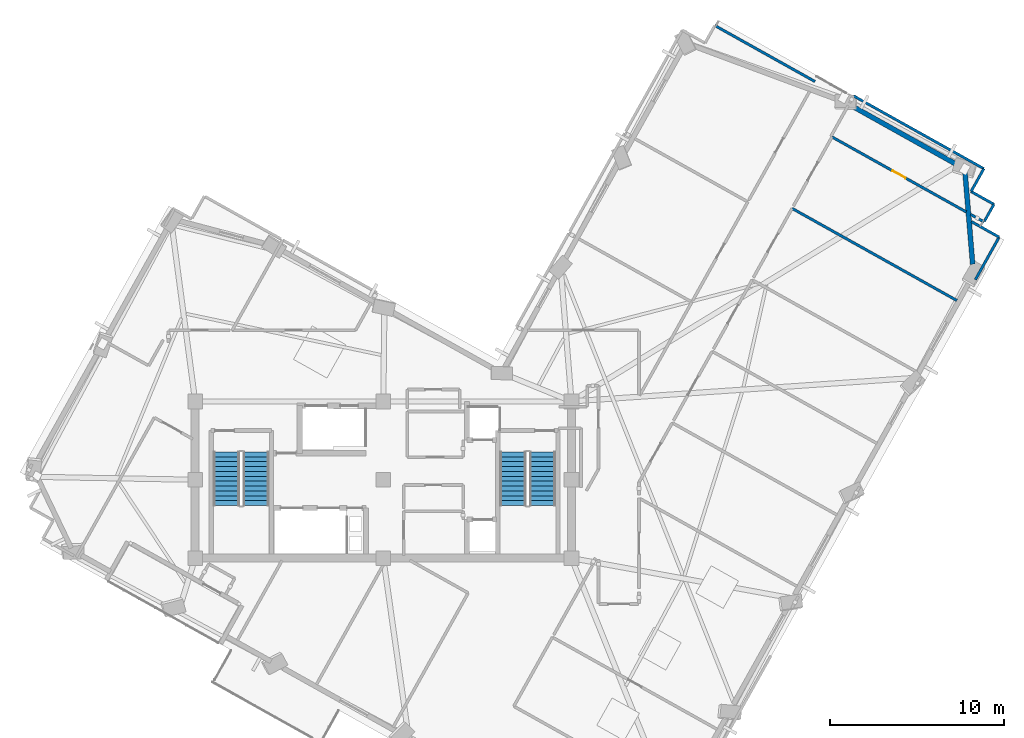
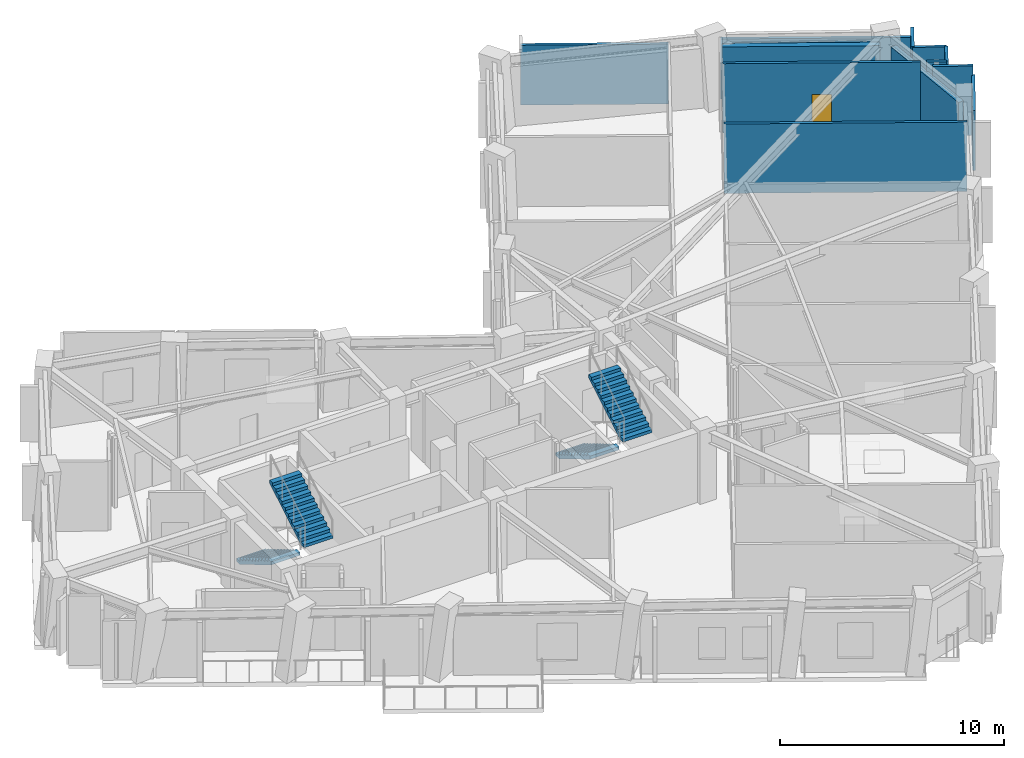
# One storey, part 7 of 11: 12 walls, 4 stair flights, 1 door, 1 opening, 2 elements without a shape of their own.
"""IFC4 building model written with IfcOpenShell, lengths in metres."""

from ifc_helpers import new_model, si_unit, direction, frame, frame_2d, origin, place, context, subcontext, project, spatial, polyline, rectangle, outline, extrude, material, layer, layer_set, type_object, element, fill, aggregate, save


model = new_model("IFC4")

# Units and contexts
model_context = context("Model", 3, precision=1e-05, world=origin(), true_north=direction((0.0, 1.0)))
body_context = subcontext(model_context, "Body", "Model", "MODEL_VIEW")
ifc_project = project(units=[si_unit("LENGTHUNIT", "METRE"), si_unit("AREAUNIT", "SQUARE_METRE"), si_unit("VOLUMEUNIT", "CUBIC_METRE"), si_unit("PLANEANGLEUNIT", "RADIAN"), si_unit("MASSUNIT", "GRAM", prefix="KILO")], contexts=[model_context])

# Site, building, storey
site_placement = place(None, origin())
site = spatial("IfcSite", under=ifc_project, at=site_placement, CompositionType="ELEMENT")
building_placement = place(site_placement, origin())
building = spatial("IfcBuilding", under=site, at=building_placement, Name="Gaonmaruhae Medical Tower", CompositionType="ELEMENT")
storey_placement = place(building_placement, frame((0.0, 0.0, 284.60009765625)))
storey = spatial("IfcBuildingStorey", under=building, at=storey_placement, Name="L68", CompositionType="ELEMENT", Elevation=284.60009765625)

# Walls
ifc_material_1 = material(Name="Precast concrete C45/55", Category="concrete")
ifc_layer_1 = layer(ifc_material_1, 0.280029296875)
ifc_layer_set_1 = layer_set([ifc_layer_1], Name="Precast concrete C45/55")
wall_type_1 = type_object("IfcWallType", Name="EW-280 Upper Precast Masonry-Frame Facade Wall", PredefinedType="SOLIDWALL", material=ifc_layer_set_1)
wall_1_placement = place(storey_placement, frame((58.193115234375, 29.948486328125, 0.0), z_axis=(0.0, 0.0, 1.0), x_axis=(0.082827928137, -0.996563863644, 0.0)))
element("IfcWall", 1, at=wall_1_placement, inside=storey, type_object=wall_type_1, Name="L68 Precast Masonry-Frame Wall S06-E01", PredefinedType="SOLIDWALL", context=body_context, shape_type="SweptSolid", body=[
    extrude(rectangle(XDim=5.2939453125, YDim=0.280029296875, at=frame_2d((2.64697265625, 0.0))), origin(), (0.0, 0.0, 1.0), 3.264892578125),
])
wall_2_placement = place(storey_placement, frame((51.58544921875, 33.822265625, 0.0), z_axis=(0.0, 0.0, 1.0), x_axis=(0.87291397176, -0.487874161957, 0.0)))
element("IfcWall", 2, at=wall_2_placement, inside=storey, type_object=wall_type_1, Name="L68 Precast Masonry-Frame Wall E01-E02", PredefinedType="SOLIDWALL", context=body_context, shape_type="SweptSolid", body=[
    extrude(rectangle(XDim=7.04638671875, YDim=0.280029296875, at=frame_2d((3.523193359375, 0.0))), origin(), (0.0, 0.0, 1.0), 3.264892578125),
])
ifc_material_2 = material(Name="Gypsum board partition", Category="gypsum")
ifc_layer_2 = layer(ifc_material_2, 0.14990234375)
ifc_layer_set_2 = layer_set([ifc_layer_2], Name="Gypsum board partition")
wall_type_2 = type_object("IfcWallType", Name="PW-150 Rated Clinical Corridor Partition", PredefinedType="PARTITIONING", material=ifc_layer_set_2)
wall_3_placement = place(storey_placement, frame((48.264892578125, 27.876953125, 0.0), z_axis=(0.0, 0.0, 1.0), x_axis=(0.872922597233, -0.487858728774, 0.0)))
element("IfcWall", 3, at=wall_3_placement, inside=storey, type_object=wall_type_2, Name="L68 Interior Partition L68-SUP08-36", PredefinedType="PARTITIONING", context=body_context, shape_type="SweptSolid", body=[
    extrude(rectangle(XDim=10.8349609375, YDim=0.14990234375, at=frame_2d((5.41748046875, 0.0))), origin(), (0.0, 0.0, 1.0), 3.77978515625),
])
wall_4_placement = place(storey_placement, frame((60.15087890625, 26.22802734375, 0.0), z_axis=(0.0, 0.0, 1.0), x_axis=(-0.487979572621, -0.87285504908, 0.0)))
element("IfcWall", 4, at=wall_4_placement, inside=storey, type_object=wall_type_2, Name="L68 Interior Partition L68-SUP09-37", PredefinedType="PARTITIONING", context=body_context, shape_type="SweptSolid", body=[
    extrude(rectangle(XDim=2.80126953125, YDim=0.14990234375, at=frame_2d((1.400634765625, 0.0))), origin(), (0.0, 0.0, 1.0), 3.264892578125),
])

# Wall, opening, door
wall_5_placement = place(storey_placement, frame((50.556884765625, 31.97900390625, 0.0), z_axis=(0.0, 0.0, 1.0), x_axis=(0.872969446745, -0.487774891779, 0.0)))
wall_5 = element("IfcWall", 5, at=wall_5_placement, inside=storey, type_object=wall_type_2, Name="L68 Interior Partition L68-SUP09-39", PredefinedType="PARTITIONING", context=body_context, shape_type="SweptSolid", body=[
    extrude(rectangle(XDim=8.832275390625, YDim=0.14990234375, at=frame_2d((4.416015625, 0.0))), origin(), (0.0, 0.0, 1.0), 3.77978515625),
])
opening_placement = place(wall_5_placement, frame((3.986083984375, 0.0, 0.0)))
opening = element("IfcOpeningElement", 6, at=opening_placement, cuts=wall_5, Name="Opening AD-01", PredefinedType="OPENING", context=body_context, shape_type="SweptSolid", body=[
    extrude(rectangle(XDim=0.860107421875, YDim=2.06005859375, at=frame_2d((0.43017578125, 1.030029296875))), frame((0.0, 0.0849609375, 0.0), z_axis=(0.0, -1.0, 0.0), x_axis=(1.0, 0.0, 0.0)), (0.0, 0.0, 1.0), 0.169921875),
])
ifc_material_3 = material(Name="Powder-coated steel access door", Category="steel")
door_type = type_object("IfcDoorType", Name="AD-01 Riser & Closet Access Fire Door 860x2060", OperationType="NOTDEFINED", PredefinedType="DOOR", material=ifc_material_3)
door_placement = place(opening_placement, origin())
door = element("IfcDoor", 7, at=door_placement, inside=storey, type_object=door_type, Name="L68 Clinical Records Office Sliding Door", OperationType="SLIDING_TO_LEFT", OverallHeight=2.06005859375, OverallWidth=0.860107421875, PredefinedType="DOOR", context=body_context, shape_type="SweptSolid", body=[
    extrude(rectangle(XDim=0.860107421875, YDim=2.06005859375, at=frame_2d((0.43017578125, 1.030029296875))), frame((0.0, 0.02490234375, 0.0), z_axis=(0.0, -1.0, 0.0), x_axis=(1.0, 0.0, 0.0)), (0.0, 0.0, 1.0), 0.050048828125),
])
fill(opening, door)

# Walls
wall_6_placement = place(storey_placement, frame((58.509033203125, 27.535888671875, 0.0), z_axis=(0.0, 0.0, 1.0), x_axis=(0.872940051513, -0.487827496625, 0.0)))
element("IfcWall", 8, at=wall_6_placement, inside=storey, type_object=wall_type_2, Name="L68 Interior Partition L68-SUP09-40", PredefinedType="PARTITIONING", context=body_context, shape_type="SweptSolid", body=[
    extrude(rectangle(XDim=0.891357421875, YDim=0.14990234375, at=frame_2d((0.44580078125, 0.0))), origin(), (0.0, 0.0, 1.0), 3.77978515625),
])
wall_7_placement = place(storey_placement, frame((58.56201171875, 27.116943359375, 0.0), z_axis=(0.0, 0.0, 1.0), x_axis=(0.872704884488, -0.488248076893, 0.0)))
element("IfcWall", 9, at=wall_7_placement, inside=storey, type_object=wall_type_2, Name="L68 Interior Partition L68-SUP09-41", PredefinedType="PARTITIONING", context=body_context, shape_type="SweptSolid", body=[
    extrude(rectangle(XDim=1.820556640625, YDim=0.14990234375, at=frame_2d((0.91015625, 0.0))), origin(), (0.0, 0.0, 1.0), 3.77978515625),
])
wall_8_placement = place(storey_placement, frame((43.822998046875, 38.3779296875, 0.0), z_axis=(0.0, 0.0, 1.0), x_axis=(0.872940239318, -0.487827160559, 0.0)))
element("IfcWall", 10, at=wall_8_placement, inside=storey, type_object=wall_type_2, Name="L68 Interior Partition L68-IE05-82", PredefinedType="PARTITIONING", context=body_context, shape_type="SweptSolid", body=[
    extrude(rectangle(XDim=6.6005859375, YDim=0.14990234375, at=frame_2d((3.30029296875, 0.0))), origin(), (0.0, 0.0, 1.0), 3.264892578125),
])
wall_9_placement = place(storey_placement, frame((51.7939453125, 34.3359375, 0.0), z_axis=(0.0, 0.0, 1.0), x_axis=(0.872924927779, -0.487854558717, 0.0)))
element("IfcWall", 11, at=wall_9_placement, inside=storey, type_object=wall_type_2, Name="L68 Interior Partition L68-RM04-104", PredefinedType="PARTITIONING", context=body_context, shape_type="SweptSolid", body=[
    extrude(rectangle(XDim=8.570068359375, YDim=0.14990234375, at=frame_2d((4.28515625, 0.0))), origin(), (0.0, 0.0, 1.0), 3.264892578125),
])
for number, where, z_axis, x_axis, name in (
    (12, (59.27490234375, 30.155029296875, 0.0), (0.0, 0.0, 1.0), (-0.487741137246, -0.872988306358, 0.0), "L68 Interior Partition L68-RM04-105"),
    (13, (58.54296875, 28.844970703125, 0.0), (0.0, 0.0, 1.0), (0.872988306358, -0.487741137246, 0.0), "L68 Interior Partition L68-RM04-106"),
):
    element("IfcWall", number, at=place(storey_placement, frame(where, z_axis=z_axis, x_axis=x_axis)), inside=storey, type_object=wall_type_2, Name=name, PredefinedType="PARTITIONING", context=body_context, shape_type="SweptSolid", body=[
        extrude(rectangle(XDim=1.500732421875, YDim=0.14990234375, at=frame_2d((0.75048828125, 0.0))), origin(), (0.0, 0.0, 1.0), 3.77978515625),
    ])
wall_10_placement = place(storey_placement, frame((59.85302734375, 28.113037109375, 0.0), z_axis=(0.0, 0.0, 1.0), x_axis=(-0.488512105395, -0.872557117261, 0.0)))
element("IfcWall", 14, at=wall_10_placement, inside=storey, type_object=wall_type_2, Name="L68 Interior Partition L68-RM04-107", PredefinedType="PARTITIONING", context=body_context, shape_type="SweptSolid", body=[
    extrude(rectangle(XDim=1.140380859375, YDim=0.14990234375, at=frame_2d((0.5703125, 0.0))), origin(), (0.0, 0.0, 1.0), 3.77978515625),
])

# Stair, stair flights
ifc_material_4 = material(Name="Concrete C40/50", Category="concrete")
stair_type = type_object("IfcStairType", Name="ST-T1 Primary Core Escape Dogleg Stair", PredefinedType="TWO_QUARTER_TURN_STAIR", material=ifc_material_4)
stair_1_placement = place(storey_placement, origin())
stair_1 = element("IfcStair", 15, at=stair_1_placement, inside=storey, type_object=stair_type, Name="L68 Protected Escape Stair ST-01", PredefinedType="TWO_QUARTER_TURN_STAIR")
stair_flight_type = type_object("IfcStairFlightType", Name="SF-T1 Primary Core Precast Stair Flight", PredefinedType="STRAIGHT", material=ifc_material_4)
stair_flight_1_placement = place(storey_placement, frame((15.800048828125, 13.89990234375, 0.0), z_axis=(0.0, 0.0, 1.0), x_axis=(0.0, -1.0, 0.0)))
stair_flight_1 = element("IfcStairFlight", 16, at=stair_flight_1_placement, type_object=stair_flight_type, Name="ST-01 flight 1", NumberOfRisers=12, NumberOfTreads=11, PredefinedType="STRAIGHT", RiserHeight=0.166666667, TreadLength=0.28, context=body_context, shape_type="SweptSolid", body=[
    extrude(outline(polyline([(0.0, 0.0), (0.0, 0.166748046875), (0.280029296875, 0.166748046875), (0.280029296875, 0.333251953125), (0.56005859375, 0.333251953125), (0.56005859375, 0.5), (0.840087890625, 0.5), (0.840087890625, 0.666748046875), (1.1201171875, 0.666748046875), (1.1201171875, 0.833251953125), (1.39990234375, 0.833251953125), (1.39990234375, 1.0), (1.679931640625, 1.0), (1.679931640625, 1.166748046875), (1.9599609375, 1.166748046875), (1.9599609375, 1.333251953125), (2.239990234375, 1.333251953125), (2.239990234375, 1.5), (2.52001953125, 1.5), (2.52001953125, 1.666748046875), (2.800048828125, 1.666748046875), (2.800048828125, 1.833251953125), (3.080078125, 1.833251953125), (3.080078125, 2.0), (3.080078125, 1.658935546875), (0.29296875, 0.0), (0.0, 0.0)])), frame((0.0, 0.75, 0.0), z_axis=(0.0, -1.0, 0.0), x_axis=(1.0, 0.0, 0.0)), (0.0, 0.0, 1.0), 1.5),
])
stair_flight_2_placement = place(storey_placement, frame((17.5, 10.820068359375, 2.0), z_axis=(0.0, 0.0, 1.0), x_axis=(0.0, 1.0, 0.0)))
stair_flight_2 = element("IfcStairFlight", 17, at=stair_flight_2_placement, type_object=stair_flight_type, Name="ST-01 flight 2", NumberOfRisers=12, NumberOfTreads=11, PredefinedType="STRAIGHT", RiserHeight=0.166666667, TreadLength=0.28, context=body_context, shape_type="SweptSolid", body=[
    extrude(outline(polyline([(0.0, 0.0), (0.0, 0.166748046875), (0.280029296875, 0.166748046875), (0.280029296875, 0.333251953125), (0.56005859375, 0.333251953125), (0.56005859375, 0.5), (0.840087890625, 0.5), (0.840087890625, 0.666748046875), (1.1201171875, 0.666748046875), (1.1201171875, 0.833251953125), (1.39990234375, 0.833251953125), (1.39990234375, 1.0), (1.679931640625, 1.0), (1.679931640625, 1.166748046875), (1.9599609375, 1.166748046875), (1.9599609375, 1.333251953125), (2.239990234375, 1.333251953125), (2.239990234375, 1.5), (2.52001953125, 1.5), (2.52001953125, 1.666748046875), (2.800048828125, 1.666748046875), (2.800048828125, 1.833251953125), (3.080078125, 1.833251953125), (3.080078125, 2.0), (3.080078125, 1.658935546875), (0.29296875, 0.0), (0.0, 0.0)])), frame((0.0, 0.75, 0.0), z_axis=(0.0, -1.0, 0.0), x_axis=(1.0, 0.0, 0.0)), (0.0, 0.0, 1.0), 1.5),
])
aggregate(stair_1, [stair_flight_1, stair_flight_2])

stair_2_placement = place(storey_placement, origin())
stair_2 = element("IfcStair", 18, at=stair_2_placement, inside=storey, type_object=stair_type, Name="L68 Protected Escape Stair ST-02", PredefinedType="TWO_QUARTER_TURN_STAIR")
stair_flight_3_placement = place(storey_placement, frame((32.25, 13.89990234375, 0.0), z_axis=(0.0, 0.0, 1.0), x_axis=(0.0, -1.0, 0.0)))
stair_flight_3 = element("IfcStairFlight", 19, at=stair_flight_3_placement, type_object=stair_flight_type, Name="ST-02 flight 1", NumberOfRisers=12, NumberOfTreads=11, PredefinedType="STRAIGHT", RiserHeight=0.166666667, TreadLength=0.28, context=body_context, shape_type="SweptSolid", body=[
    extrude(outline(polyline([(0.0, 0.0), (0.0, 0.166748046875), (0.280029296875, 0.166748046875), (0.280029296875, 0.333251953125), (0.56005859375, 0.333251953125), (0.56005859375, 0.5), (0.840087890625, 0.5), (0.840087890625, 0.666748046875), (1.1201171875, 0.666748046875), (1.1201171875, 0.833251953125), (1.39990234375, 0.833251953125), (1.39990234375, 1.0), (1.679931640625, 1.0), (1.679931640625, 1.166748046875), (1.9599609375, 1.166748046875), (1.9599609375, 1.333251953125), (2.239990234375, 1.333251953125), (2.239990234375, 1.5), (2.52001953125, 1.5), (2.52001953125, 1.666748046875), (2.800048828125, 1.666748046875), (2.800048828125, 1.833251953125), (3.080078125, 1.833251953125), (3.080078125, 2.0), (3.080078125, 1.658935546875), (0.29296875, 0.0), (0.0, 0.0)])), frame((0.0, 0.75, 0.0), z_axis=(0.0, -1.0, 0.0), x_axis=(1.0, 0.0, 0.0)), (0.0, 0.0, 1.0), 1.5),
])
stair_flight_4_placement = place(storey_placement, frame((33.949951171875, 10.820068359375, 2.0), z_axis=(0.0, 0.0, 1.0), x_axis=(0.0, 1.0, 0.0)))
stair_flight_4 = element("IfcStairFlight", 20, at=stair_flight_4_placement, type_object=stair_flight_type, Name="ST-02 flight 2", NumberOfRisers=12, NumberOfTreads=11, PredefinedType="STRAIGHT", RiserHeight=0.166666667, TreadLength=0.28, context=body_context, shape_type="SweptSolid", body=[
    extrude(outline(polyline([(0.0, 0.0), (0.0, 0.166748046875), (0.280029296875, 0.166748046875), (0.280029296875, 0.333251953125), (0.56005859375, 0.333251953125), (0.56005859375, 0.5), (0.840087890625, 0.5), (0.840087890625, 0.666748046875), (1.1201171875, 0.666748046875), (1.1201171875, 0.833251953125), (1.39990234375, 0.833251953125), (1.39990234375, 1.0), (1.679931640625, 1.0), (1.679931640625, 1.166748046875), (1.9599609375, 1.166748046875), (1.9599609375, 1.333251953125), (2.239990234375, 1.333251953125), (2.239990234375, 1.5), (2.52001953125, 1.5), (2.52001953125, 1.666748046875), (2.800048828125, 1.666748046875), (2.800048828125, 1.833251953125), (3.080078125, 1.833251953125), (3.080078125, 2.0), (3.080078125, 1.658935546875), (0.29296875, 0.0), (0.0, 0.0)])), frame((0.0, 0.75, 0.0), z_axis=(0.0, -1.0, 0.0), x_axis=(1.0, 0.0, 0.0)), (0.0, 0.0, 1.0), 1.5),
])
aggregate(stair_2, [stair_flight_3, stair_flight_4])

save(model, "model.ifc")
